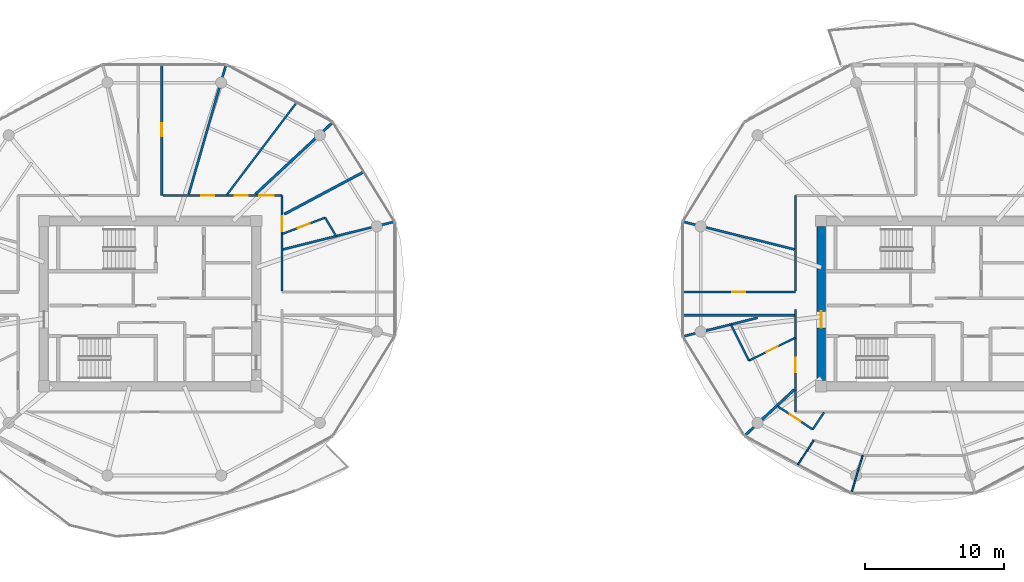
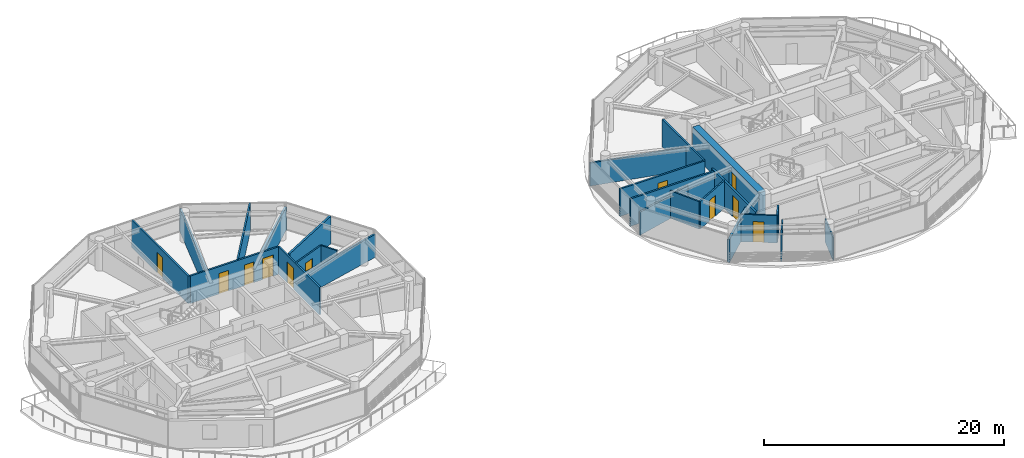
# One storey, part 14 of 22: 24 walls, 11 doors, 11 openings.
"""IFC4 building model written with IfcOpenShell, lengths in metres."""

from ifc_helpers import new_model, si_unit, direction, frame, frame_2d, origin, place, context, subcontext, project, spatial, rectangle, extrude, source, transform, mapped, material, layer, layer_set, type_object, type_shapes, element, fill, save


model = new_model("IFC4")

# Units and contexts
model_context = context("Model", 3, precision=1e-05, world=origin(), true_north=direction((0.0, 1.0)))
body_context = subcontext(model_context, "Body", "Model", "MODEL_VIEW")
ifc_project = project(units=[si_unit("LENGTHUNIT", "METRE"), si_unit("AREAUNIT", "SQUARE_METRE"), si_unit("VOLUMEUNIT", "CUBIC_METRE"), si_unit("PLANEANGLEUNIT", "RADIAN"), si_unit("MASSUNIT", "GRAM", prefix="KILO")], contexts=[model_context])

# Site, building, storey
site_placement = place(None, origin())
site = spatial("IfcSite", under=ifc_project, at=site_placement, CompositionType="ELEMENT")
building_placement = place(site_placement, origin())
building = spatial("IfcBuilding", under=site, at=building_placement, Name="Norrkilde Senior Care Towers", CompositionType="ELEMENT")
storey_placement = place(building_placement, frame((0.0, 0.0, 170.89990234375)))
storey = spatial("IfcBuildingStorey", under=building, at=storey_placement, Name="L53", CompositionType="ELEMENT", Elevation=170.89990234375)

# Wall, opening, door
ifc_material_1 = material(Name="Concrete C50/60", Category="concrete")
ifc_layer_1 = layer(ifc_material_1, 0.6201171875)
ifc_layer_set_1 = layer_set([ifc_layer_1], Name="Concrete C50/60")
wall_type_1 = type_object("IfcWallType", Name="Core Shear Wall Z3 620", PredefinedType="SHEAR", material=ifc_layer_set_1)
shared_shape_1 = source(origin(), body_context, "Body", "SweptSolid", [
    extrude(rectangle(XDim=11.10009765625, YDim=0.6201171875, at=frame_2d((5.550048828125, 0.0))), origin(), (0.0, 0.0, 1.0), 2.81005859375),
])
type_shapes(wall_type_1, [shared_shape_1])
wall_1_placement = place(storey_placement, frame((20.35009765625, -5.550048828125, 0.0), z_axis=(0.0, 0.0, 1.0), x_axis=(0.0, 1.0, 0.0)))
wall_1 = element("IfcWall", 1, at=wall_1_placement, inside=storey, type_object=wall_type_1, Name="L53 Core E West Shear Wall", PredefinedType="SHEAR", context=body_context, shape_type="MappedRepresentation", body=[
    mapped(shared_shape_1, transform((0.0, 0.0, 0.0), x_axis=(1.0, 0.0, 0.0), y_axis=(0.0, 1.0, 0.0), z_axis=(0.0, 0.0, 1.0), scale=1.0)),
])
opening_1_placement = place(wall_1_placement, frame((3.800048828125, 0.0, 0.0)))
opening_1 = element("IfcOpeningElement", 2, at=opening_1_placement, cuts=wall_1, Name="Opening D-04", PredefinedType="OPENING", context=body_context, shape_type="SweptSolid", body=[
    extrude(rectangle(XDim=1.199951171875, YDim=2.14990234375, at=frame_2d((0.60009765625, 1.074951171875))), frame((0.0, 0.320068359375, 0.0), z_axis=(0.0, -1.0, 0.0), x_axis=(1.0, 0.0, 0.0)), (0.0, 0.0, 1.0), 0.64013671875),
])
ifc_material_2 = material(Name="Galvanised Painted Steel", Category="steel")
door_type_1 = type_object("IfcDoorType", Name="Firefighting Lobby Fire Door 1200x2150", OperationType="NOTDEFINED", PredefinedType="DOOR", material=ifc_material_2)
shared_shape_2 = source(origin(), body_context, "Body", "SweptSolid", [
    extrude(rectangle(XDim=1.199951171875, YDim=2.14990234375, at=frame_2d((0.60009765625, 1.074951171875))), frame((0.0, 0.02490234375, 0.0), z_axis=(0.0, -1.0, 0.0), x_axis=(1.0, 0.0, 0.0)), (0.0, 0.0, 1.0), 0.050048828125),
])
type_shapes(door_type_1, [shared_shape_2])
door_1_placement = place(opening_1_placement, frame((1.199951171875, 0.0, 0.0), z_axis=(0.0, 0.0, 1.0), x_axis=(-1.0, 0.0, 0.0)))
door_1 = element("IfcDoor", 3, at=door_1_placement, inside=storey, type_object=door_type_1, Name="L53 Core E West Portal Door", OperationType="SINGLE_SWING_LEFT", OverallHeight=2.14990234375, OverallWidth=1.199951171875, PredefinedType="DOOR", context=body_context, shape_type="MappedRepresentation", body=[
    mapped(shared_shape_2, transform((0.0, 0.0, 0.0), x_axis=(1.0, 0.0, 0.0), y_axis=(0.0, 1.0, 0.0), z_axis=(0.0, 0.0, 1.0), scale=1.0)),
])
fill(opening_1, door_1)

# Walls
ifc_material_3 = material(Name="Gypsum Acoustic Board")
ifc_layer_2 = layer(ifc_material_3, 0.1650390625)
ifc_layer_set_2 = layer_set([ifc_layer_2], Name="Gypsum Acoustic Board")
wall_type_2 = type_object("IfcWallType", Name="Corridor Rated Partition 165", PredefinedType="PARTITIONING", material=ifc_layer_set_2)
shared_shape_3 = source(origin(), body_context, "Body", "SweptSolid", [
    extrude(rectangle(XDim=9.73046875, YDim=0.1650390625, at=frame_2d((4.865234375, 0.0))), origin(), (0.0, 0.0, 1.0), 2.34521484375),
])
wall_2_placement = place(storey_placement, frame((-25.216552734375, 7.8798828125, 0.0), z_axis=(0.0, 0.0, 1.0), x_axis=(0.27679492614, 0.960929013436, 0.0)))
element("IfcWall", 4, at=wall_2_placement, inside=storey, type_object=wall_type_2, Name="WL-INT-L53-W-DEM-02-0", PredefinedType="PARTITIONING", context=body_context, shape_type="MappedRepresentation", body=[
    mapped(shared_shape_3, transform((0.0, 0.0, 0.0), x_axis=(1.0, 0.0, 0.0), y_axis=(0.0, 1.0, 0.0), z_axis=(0.0, 0.0, 1.0), scale=1.0)),
])
ifc_layer_3 = layer(ifc_material_3, 0.18994140625)
ifc_layer_set_3 = layer_set([ifc_layer_3], Name="Gypsum Acoustic Board")
wall_type_3 = type_object("IfcWallType", Name="Unit Demising Acoustic Wall 190", PredefinedType="PARTITIONING", material=ifc_layer_set_3)
shared_shape_4 = source(origin(), body_context, "Body", "SweptSolid", [
    extrude(rectangle(XDim=7.648193359375, YDim=0.18994140625, at=frame_2d((3.82421875, 0.0))), origin(), (0.0, 0.0, 1.0), 2.34521484375),
])
wall_3_placement = place(storey_placement, frame((-20.41259765625, 7.8798828125, 0.0), z_axis=(0.0, 0.0, 1.0), x_axis=(0.732182665826, 0.681108320213, 0.0)))
element("IfcWall", 5, at=wall_3_placement, inside=storey, type_object=wall_type_3, Name="WL-INT-L53-W-DEM-01-0", PredefinedType="PARTITIONING", context=body_context, shape_type="MappedRepresentation", body=[
    mapped(shared_shape_4, transform((0.0, 0.0, 0.0), x_axis=(1.0, 0.0, 0.0), y_axis=(0.0, 1.0, 0.0), z_axis=(0.0, 0.0, 1.0), scale=1.0)),
])
shared_shape_5 = source(origin(), body_context, "Body", "SweptSolid", [
    extrude(rectangle(XDim=6.4990234375, YDim=0.18994140625, at=frame_2d((3.24951171875, 0.0))), origin(), (0.0, 0.0, 1.0), 2.795166015625),
])
wall_4_placement = place(storey_placement, frame((-18.32373046875, 6.44873046875, 0.0), z_axis=(0.0, 0.0, 1.0), x_axis=(0.882715595921, 0.469907625729, 0.0)))
element("IfcWall", 6, at=wall_4_placement, inside=storey, type_object=wall_type_3, Name="WL-INT-L53-W-CMID-00", PredefinedType="PARTITIONING", context=body_context, shape_type="MappedRepresentation", body=[
    mapped(shared_shape_5, transform((0.0, 0.0, 0.0), x_axis=(1.0, 0.0, 0.0), y_axis=(0.0, 1.0, 0.0), z_axis=(0.0, 0.0, 1.0), scale=1.0)),
])

# Wall, opening, door
ifc_layer_4 = layer(ifc_material_3, 0.139892578125)
ifc_layer_set_4 = layer_set([ifc_layer_4], Name="Gypsum Acoustic Board")
wall_type_4 = type_object("IfcWallType", Name="En-suite Wet Room Wall 140", PredefinedType="PARTITIONING", material=ifc_layer_set_4)
shared_shape_6 = source(origin(), body_context, "Body", "SweptSolid", [
    extrude(rectangle(XDim=3.295166015625, YDim=0.139892578125, at=frame_2d((1.6474609375, 0.0))), origin(), (0.0, 0.0, 1.0), 2.795166015625),
])
wall_5_placement = place(storey_placement, frame((-18.469970703125, 5.022705078125, 0.0), z_axis=(0.0, 0.0, 1.0), x_axis=(0.934202224769, 0.356743890258, 0.0)))
wall_5 = element("IfcWall", 7, at=wall_5_placement, inside=storey, type_object=wall_type_4, Name="WL-INT-L53-W-ES-00A", PredefinedType="PARTITIONING", context=body_context, shape_type="MappedRepresentation", body=[
    mapped(shared_shape_6, transform((0.0, 0.0, 0.0), x_axis=(1.0, 0.0, 0.0), y_axis=(0.0, 1.0, 0.0), z_axis=(0.0, 0.0, 1.0), scale=1.0)),
])
opening_2_placement = place(wall_5_placement, frame((1.1875, 0.0, 0.0)))
opening_2 = element("IfcOpeningElement", 8, at=opening_2_placement, cuts=wall_5, Name="Opening D-08", PredefinedType="OPENING", context=body_context, shape_type="SweptSolid", body=[
    extrude(rectangle(XDim=0.919921875, YDim=2.10009765625, at=frame_2d((0.4599609375, 1.050048828125))), frame((0.0, 0.079833984375, 0.0), z_axis=(0.0, -1.0, 0.0), x_axis=(1.0, 0.0, 0.0)), (0.0, 0.0, 1.0), 0.159912109375),
])
ifc_material_4 = material(Name="Nordic Ash Timber", Category="wood")
door_type_2 = type_object("IfcDoorType", Name="Accessible Wet Room Door 920x2100", OperationType="NOTDEFINED", PredefinedType="DOOR", material=ifc_material_4)
shared_shape_7 = source(origin(), body_context, "Body", "SweptSolid", [
    extrude(rectangle(XDim=0.919921875, YDim=2.10009765625, at=frame_2d((0.4599609375, 1.050048828125))), frame((0.0, 0.02490234375, 0.0), z_axis=(0.0, -1.0, 0.0), x_axis=(1.0, 0.0, 0.0)), (0.0, 0.0, 1.0), 0.050048828125),
])
type_shapes(door_type_2, [shared_shape_7])
door_2_placement = place(opening_2_placement, origin())
door_2 = element("IfcDoor", 9, at=door_2_placement, inside=storey, type_object=door_type_2, Name="L53 Care Suite 5300A Bathroom Door", OperationType="SINGLE_SWING_RIGHT", OverallHeight=2.10009765625, OverallWidth=0.919921875, PredefinedType="DOOR", context=body_context, shape_type="MappedRepresentation", body=[
    mapped(shared_shape_7, transform((0.0, 0.0, 0.0), x_axis=(1.0, 0.0, 0.0), y_axis=(0.0, 1.0, 0.0), z_axis=(0.0, 0.0, 1.0), scale=1.0)),
])
fill(opening_2, door_2)

# Wall
shared_shape_8 = source(origin(), body_context, "Body", "SweptSolid", [
    extrude(rectangle(XDim=4.926513671875, YDim=0.18994140625, at=frame_2d((2.46337890625, 0.0))), origin(), (0.0, 0.0, 1.0), 2.34521484375),
])
type_shapes(wall_type_3, [shared_shape_4, shared_shape_5, shared_shape_8])
wall_6_placement = place(storey_placement, frame((18.419921875, -6.182861328125, 0.0), z_axis=(0.0, 0.0, 1.0), x_axis=(-0.732191335987, -0.681098999783, 0.0)))
element("IfcWall", 10, at=wall_6_placement, inside=storey, type_object=wall_type_3, Name="WL-INT-L53-E-DEM-07-0", PredefinedType="PARTITIONING", context=body_context, shape_type="MappedRepresentation", body=[
    mapped(shared_shape_8, transform((0.0, 0.0, 0.0), x_axis=(1.0, 0.0, 0.0), y_axis=(0.0, 1.0, 0.0), z_axis=(0.0, 0.0, 1.0), scale=1.0)),
])

# Wall, opening, door
shared_shape_9 = source(origin(), body_context, "Body", "SweptSolid", [
    extrude(rectangle(XDim=3.706787109375, YDim=0.139892578125, at=frame_2d((1.853515625, 0.0))), origin(), (0.0, 0.0, 1.0), 2.795166015625),
])
wall_7_placement = place(storey_placement, frame((18.469970703125, -2.455810546875, 0.0), z_axis=(0.0, 0.0, 1.0), x_axis=(-0.895347377717, -0.44536846904, 0.0)))
wall_7 = element("IfcWall", 11, at=wall_7_placement, inside=storey, type_object=wall_type_4, Name="WL-INT-L53-E-ES-06", PredefinedType="PARTITIONING", context=body_context, shape_type="MappedRepresentation", body=[
    mapped(shared_shape_9, transform((0.0, 0.0, 0.0), x_axis=(1.0, 0.0, 0.0), y_axis=(0.0, 1.0, 0.0), z_axis=(0.0, 0.0, 1.0), scale=1.0)),
])
opening_3_placement = place(wall_7_placement, frame((1.3935546875, 0.0, 0.0)))
opening_3 = element("IfcOpeningElement", 12, at=opening_3_placement, cuts=wall_7, Name="Opening D-08", PredefinedType="OPENING", context=body_context, shape_type="SweptSolid", body=[
    extrude(rectangle(XDim=0.919921875, YDim=2.10009765625, at=frame_2d((0.4599609375, 1.050048828125))), frame((0.0, 0.079833984375, 0.0), z_axis=(0.0, -1.0, 0.0), x_axis=(1.0, 0.0, 0.0)), (0.0, 0.0, 1.0), 0.159912109375),
])
door_3_placement = place(opening_3_placement, origin())
door_3 = element("IfcDoor", 13, at=door_3_placement, inside=storey, type_object=door_type_2, Name="L53 Studio 53C Bathroom Door", OperationType="SINGLE_SWING_RIGHT", OverallHeight=2.10009765625, OverallWidth=0.919921875, PredefinedType="DOOR", context=body_context, shape_type="MappedRepresentation", body=[
    mapped(shared_shape_7, transform((0.0, 0.0, 0.0), x_axis=(1.0, 0.0, 0.0), y_axis=(0.0, 1.0, 0.0), z_axis=(0.0, 0.0, 1.0), scale=1.0)),
])
fill(opening_3, door_3)

# Wall, openings, doors
shared_shape_10 = source(origin(), body_context, "Body", "SweptSolid", [
    extrude(rectangle(XDim=8.580078125, YDim=0.1650390625, at=frame_2d((4.2900390625, 0.0))), origin(), (0.0, 0.0, 1.0), 2.795166015625),
])
wall_8_placement = place(storey_placement, frame((-27.080078125, 7.800048828125, 0.0), z_axis=(0.0, 0.0, 1.0), x_axis=(1.0, 0.0, 0.0)))
wall_8 = element("IfcWall", 14, at=wall_8_placement, inside=storey, type_object=wall_type_2, Name="WL-INT-L53-W-CRW-N-1", PredefinedType="PARTITIONING", context=body_context, shape_type="MappedRepresentation", body=[
    mapped(shared_shape_10, transform((0.0, 0.0, 0.0), x_axis=(1.0, 0.0, 0.0), y_axis=(0.0, 1.0, 0.0), z_axis=(0.0, 0.0, 1.0), scale=1.0)),
])
opening_4_placement = place(wall_8_placement, frame((6.93994140625, 0.0, 0.0)))
opening_4 = element("IfcOpeningElement", 15, at=opening_4_placement, cuts=wall_8, Name="Opening D-06", PredefinedType="OPENING", context=body_context, shape_type="SweptSolid", body=[
    extrude(rectangle(XDim=1.050048828125, YDim=2.14990234375, at=frame_2d((0.52490234375, 1.074951171875))), frame((0.0, 0.092529296875, 0.0), z_axis=(0.0, -1.0, 0.0), x_axis=(1.0, 0.0, 0.0)), (0.0, 0.0, 1.0), 0.18505859375),
])
opening_5_placement = place(wall_8_placement, frame((5.197265625, 0.0, 0.0)))
opening_5 = element("IfcOpeningElement", 16, at=opening_5_placement, cuts=wall_8, Name="Opening D-08", PredefinedType="OPENING", context=body_context, shape_type="SweptSolid", body=[
    extrude(rectangle(XDim=0.919921875, YDim=2.10009765625, at=frame_2d((0.4599609375, 1.050048828125))), frame((0.0, 0.092529296875, 0.0), z_axis=(0.0, -1.0, 0.0), x_axis=(1.0, 0.0, 0.0)), (0.0, 0.0, 1.0), 0.18505859375),
])
opening_6_placement = place(wall_8_placement, frame((2.777587890625, 0.0, 0.0)))
opening_6 = element("IfcOpeningElement", 17, at=opening_6_placement, cuts=wall_8, Name="Opening D-08", PredefinedType="OPENING", context=body_context, shape_type="SweptSolid", body=[
    extrude(rectangle(XDim=0.919921875, YDim=2.10009765625, at=frame_2d((0.4599609375, 1.050048828125))), frame((0.0, 0.092529296875, 0.0), z_axis=(0.0, -1.0, 0.0), x_axis=(1.0, 0.0, 0.0)), (0.0, 0.0, 1.0), 0.18505859375),
])
door_4_placement = place(opening_5_placement, frame((0.919921875, 0.0, 0.0), z_axis=(0.0, 0.0, 1.0), x_axis=(-1.0, 0.0, 0.0)))
door_4 = element("IfcDoor", 18, at=door_4_placement, inside=storey, type_object=door_type_2, Name="L53 Accessible Restroom Door", OperationType="SINGLE_SWING_RIGHT", OverallHeight=2.10009765625, OverallWidth=0.919921875, PredefinedType="DOOR", context=body_context, shape_type="MappedRepresentation", body=[
    mapped(shared_shape_7, transform((0.0, 0.0, 0.0), x_axis=(1.0, 0.0, 0.0), y_axis=(0.0, 1.0, 0.0), z_axis=(0.0, 0.0, 1.0), scale=1.0)),
])
fill(opening_5, door_4)
door_5_placement = place(opening_6_placement, frame((0.919921875, 0.0, 0.0), z_axis=(0.0, 0.0, 1.0), x_axis=(-1.0, 0.0, 0.0)))
door_5 = element("IfcDoor", 19, at=door_5_placement, inside=storey, type_object=door_type_2, Name="L53 Public Restroom Door", OperationType="SINGLE_SWING_LEFT", OverallHeight=2.10009765625, OverallWidth=0.919921875, PredefinedType="DOOR", context=body_context, shape_type="MappedRepresentation", body=[
    mapped(shared_shape_7, transform((0.0, 0.0, 0.0), x_axis=(1.0, 0.0, 0.0), y_axis=(0.0, 1.0, 0.0), z_axis=(0.0, 0.0, 1.0), scale=1.0)),
])
fill(opening_6, door_5)
door_type_3 = type_object("IfcDoorType", Name="Apartment Entrance Fire Door 1050x2150", OperationType="NOTDEFINED", PredefinedType="DOOR", material=ifc_material_4)
shared_shape_11 = source(origin(), body_context, "Body", "SweptSolid", [
    extrude(rectangle(XDim=1.050048828125, YDim=2.14990234375, at=frame_2d((0.52490234375, 1.074951171875))), frame((0.0, 0.02490234375, 0.0), z_axis=(0.0, -1.0, 0.0), x_axis=(1.0, 0.0, 0.0)), (0.0, 0.0, 1.0), 0.050048828125),
])
type_shapes(door_type_3, [shared_shape_11])
door_6_placement = place(opening_4_placement, frame((1.050048828125, 0.0, 0.0), z_axis=(0.0, 0.0, 1.0), x_axis=(-1.0, 0.0, 0.0)))
door_6 = element("IfcDoor", 20, at=door_6_placement, inside=storey, type_object=door_type_3, Name="L53 Therapy Day Lounge 00 Door", OperationType="SINGLE_SWING_RIGHT", OverallHeight=2.14990234375, OverallWidth=1.050048828125, PredefinedType="DOOR", context=body_context, shape_type="MappedRepresentation", body=[
    mapped(shared_shape_11, transform((0.0, 0.0, 0.0), x_axis=(1.0, 0.0, 0.0), y_axis=(0.0, 1.0, 0.0), z_axis=(0.0, 0.0, 1.0), scale=1.0)),
])
fill(opening_4, door_6)

# Wall, opening, door
shared_shape_12 = source(origin(), body_context, "Body", "SweptSolid", [
    extrude(rectangle(XDim=6.880126953125, YDim=0.1650390625, at=frame_2d((3.43994140625, 0.0))), origin(), (0.0, 0.0, 1.0), 2.795166015625),
])
wall_9_placement = place(storey_placement, frame((-18.5, 7.800048828125, 0.0), z_axis=(0.0, 0.0, 1.0), x_axis=(0.0, -1.0, 0.0)))
wall_9 = element("IfcWall", 21, at=wall_9_placement, inside=storey, type_object=wall_type_2, Name="WL-INT-L53-W-CRW-E-0", PredefinedType="PARTITIONING", context=body_context, shape_type="MappedRepresentation", body=[
    mapped(shared_shape_12, transform((0.0, 0.0, 0.0), x_axis=(1.0, 0.0, 0.0), y_axis=(0.0, 1.0, 0.0), z_axis=(0.0, 0.0, 1.0), scale=1.0)),
])
opening_7_placement = place(wall_9_placement, frame((1.514892578125, 0.0, 0.0)))
opening_7 = element("IfcOpeningElement", 22, at=opening_7_placement, cuts=wall_9, Name="Opening D-06", PredefinedType="OPENING", context=body_context, shape_type="SweptSolid", body=[
    extrude(rectangle(XDim=1.050048828125, YDim=2.14990234375, at=frame_2d((0.52490234375, 1.074951171875))), frame((0.0, 0.092529296875, 0.0), z_axis=(0.0, -1.0, 0.0), x_axis=(1.0, 0.0, 0.0)), (0.0, 0.0, 1.0), 0.18505859375),
])
door_7_placement = place(opening_7_placement, frame((1.050048828125, 0.0, 0.0), z_axis=(0.0, 0.0, 1.0), x_axis=(-1.0, 0.0, 0.0)))
door_7 = element("IfcDoor", 23, at=door_7_placement, inside=storey, type_object=door_type_3, Name="L53 Care Suite 5300A Entrance Door", OperationType="SINGLE_SWING_LEFT", OverallHeight=2.14990234375, OverallWidth=1.050048828125, PredefinedType="DOOR", context=body_context, shape_type="MappedRepresentation", body=[
    mapped(shared_shape_11, transform((0.0, 0.0, 0.0), x_axis=(1.0, 0.0, 0.0), y_axis=(0.0, 1.0, 0.0), z_axis=(0.0, 0.0, 1.0), scale=1.0)),
])
fill(opening_7, door_7)

# Wall
wall_10_placement = place(storey_placement, frame((18.5, 0.919921875, 0.0), z_axis=(0.0, 0.0, 1.0), x_axis=(0.0, 1.0, 0.0)))
element("IfcWall", 24, at=wall_10_placement, inside=storey, type_object=wall_type_2, Name="WL-INT-L53-E-CRW-W-1", PredefinedType="PARTITIONING", context=body_context, shape_type="MappedRepresentation", body=[
    mapped(shared_shape_12, transform((0.0, 0.0, 0.0), x_axis=(1.0, 0.0, 0.0), y_axis=(0.0, 1.0, 0.0), z_axis=(0.0, 0.0, 1.0), scale=1.0)),
])

# Wall, opening, door
shared_shape_13 = source(origin(), body_context, "Body", "SweptSolid", [
    extrude(rectangle(XDim=7.364501953125, YDim=0.1650390625, at=frame_2d((3.68212890625, 0.0))), origin(), (0.0, 0.0, 1.0), 2.795166015625),
])
wall_11_placement = place(storey_placement, frame((18.5, -7.800048828125, 0.0), z_axis=(0.0, 0.0, 1.0), x_axis=(0.0, 1.0, 0.0)))
wall_11 = element("IfcWall", 25, at=wall_11_placement, inside=storey, type_object=wall_type_2, Name="WL-INT-L53-E-CRW-W-0", PredefinedType="PARTITIONING", context=body_context, shape_type="MappedRepresentation", body=[
    mapped(shared_shape_13, transform((0.0, 0.0, 0.0), x_axis=(1.0, 0.0, 0.0), y_axis=(0.0, 1.0, 0.0), z_axis=(0.0, 0.0, 1.0), scale=1.0)),
])
opening_8_placement = place(wall_11_placement, frame((2.853515625, 0.0, 0.0)))
opening_8 = element("IfcOpeningElement", 26, at=opening_8_placement, cuts=wall_11, Name="Opening D-06", PredefinedType="OPENING", context=body_context, shape_type="SweptSolid", body=[
    extrude(rectangle(XDim=1.050048828125, YDim=2.14990234375, at=frame_2d((0.52490234375, 1.074951171875))), frame((0.0, 0.092529296875, 0.0), z_axis=(0.0, -1.0, 0.0), x_axis=(1.0, 0.0, 0.0)), (0.0, 0.0, 1.0), 0.18505859375),
])
door_8_placement = place(opening_8_placement, frame((1.050048828125, 0.0, 0.0), z_axis=(0.0, 0.0, 1.0), x_axis=(-1.0, 0.0, 0.0)))
door_8 = element("IfcDoor", 27, at=door_8_placement, inside=storey, type_object=door_type_3, Name="L53 Studio 53C Entrance Door", OperationType="SINGLE_SWING_LEFT", OverallHeight=2.14990234375, OverallWidth=1.050048828125, PredefinedType="DOOR", context=body_context, shape_type="MappedRepresentation", body=[
    mapped(shared_shape_11, transform((0.0, 0.0, 0.0), x_axis=(1.0, 0.0, 0.0), y_axis=(0.0, 1.0, 0.0), z_axis=(0.0, 0.0, 1.0), scale=1.0)),
])
fill(opening_8, door_8)

shared_shape_14 = source(origin(), body_context, "Body", "SweptSolid", [
    extrude(rectangle(XDim=9.480224609375, YDim=0.1650390625, at=frame_2d((4.740234375, 0.0))), origin(), (0.0, 0.0, 1.0), 2.795166015625),
])
wall_12_placement = place(storey_placement, frame((-27.159912109375, 17.2802734375, 0.0), z_axis=(0.0, 0.0, 1.0), x_axis=(0.0, -1.0, 0.0)))
wall_12 = element("IfcWall", 28, at=wall_12_placement, inside=storey, type_object=wall_type_2, Name="WL-INT-L53-W-SPK-N2-0", PredefinedType="PARTITIONING", context=body_context, shape_type="MappedRepresentation", body=[
    mapped(shared_shape_14, transform((0.0, 0.0, 0.0), x_axis=(1.0, 0.0, 0.0), y_axis=(0.0, 1.0, 0.0), z_axis=(0.0, 0.0, 1.0), scale=1.0)),
])
opening_9_placement = place(wall_12_placement, frame((4.26513671875, 0.0, 0.0)))
opening_9 = element("IfcOpeningElement", 29, at=opening_9_placement, cuts=wall_12, Name="Opening D-07", PredefinedType="OPENING", context=body_context, shape_type="SweptSolid", body=[
    extrude(rectangle(XDim=0.949951171875, YDim=2.10009765625, at=frame_2d((0.47509765625, 1.050048828125))), frame((0.0, 0.092529296875, 0.0), z_axis=(0.0, -1.0, 0.0), x_axis=(1.0, 0.0, 0.0)), (0.0, 0.0, 1.0), 0.18505859375),
])
door_type_4 = type_object("IfcDoorType", Name="Internal Suite Bedroom Door 950x2100", OperationType="NOTDEFINED", PredefinedType="DOOR", material=ifc_material_4)
shared_shape_15 = source(origin(), body_context, "Body", "SweptSolid", [
    extrude(rectangle(XDim=0.949951171875, YDim=2.10009765625, at=frame_2d((0.47509765625, 1.050048828125))), frame((0.0, 0.02490234375, 0.0), z_axis=(0.0, -1.0, 0.0), x_axis=(1.0, 0.0, 0.0)), (0.0, 0.0, 1.0), 0.050048828125),
])
type_shapes(door_type_4, [shared_shape_15])
door_9_placement = place(opening_9_placement, frame((0.949951171875, 0.0, 0.0), z_axis=(0.0, 0.0, 1.0), x_axis=(-1.0, 0.0, 0.0)))
door_9 = element("IfcDoor", 30, at=door_9_placement, inside=storey, type_object=door_type_4, Name="L53 Sun Reading Lounge 4 Door", OperationType="SINGLE_SWING_LEFT", OverallHeight=2.10009765625, OverallWidth=0.949951171875, PredefinedType="DOOR", context=body_context, shape_type="MappedRepresentation", body=[
    mapped(shared_shape_15, transform((0.0, 0.0, 0.0), x_axis=(1.0, 0.0, 0.0), y_axis=(0.0, 1.0, 0.0), z_axis=(0.0, 0.0, 1.0), scale=1.0)),
])
fill(opening_9, door_9)

shared_shape_16 = source(origin(), body_context, "Body", "SweptSolid", [
    extrude(rectangle(XDim=8.18896484375, YDim=0.1650390625, at=frame_2d((4.094482421875, 0.0))), origin(), (0.0, 0.0, 1.0), 2.795166015625),
])
wall_13_placement = place(storey_placement, frame((10.31103515625, 0.840087890625, 0.0), z_axis=(0.0, 0.0, 1.0), x_axis=(1.0, 0.0, 0.0)))
wall_13 = element("IfcWall", 31, at=wall_13_placement, inside=storey, type_object=wall_type_2, Name="WL-INT-L53-E-SPK-W1-0", PredefinedType="PARTITIONING", context=body_context, shape_type="MappedRepresentation", body=[
    mapped(shared_shape_16, transform((0.0, 0.0, 0.0), x_axis=(1.0, 0.0, 0.0), y_axis=(0.0, 1.0, 0.0), z_axis=(0.0, 0.0, 1.0), scale=1.0)),
])
opening_10_placement = place(wall_13_placement, frame((3.619384765625, 0.0, 0.0)))
opening_10 = element("IfcOpeningElement", 32, at=opening_10_placement, cuts=wall_13, Name="Opening D-07", PredefinedType="OPENING", context=body_context, shape_type="SweptSolid", body=[
    extrude(rectangle(XDim=0.949951171875, YDim=2.10009765625, at=frame_2d((0.47509765625, 1.050048828125))), frame((0.0, 0.092529296875, 0.0), z_axis=(0.0, -1.0, 0.0), x_axis=(1.0, 0.0, 0.0)), (0.0, 0.0, 1.0), 0.18505859375),
])
door_10_placement = place(opening_10_placement, frame((0.949951171875, 0.0, 0.0), z_axis=(0.0, 0.0, 1.0), x_axis=(-1.0, 0.0, 0.0)))
door_10 = element("IfcDoor", 33, at=door_10_placement, inside=storey, type_object=door_type_4, Name="L53 Sun Reading Lounge 2 Door", OperationType="SINGLE_SWING_LEFT", OverallHeight=2.10009765625, OverallWidth=0.949951171875, PredefinedType="DOOR", context=body_context, shape_type="MappedRepresentation", body=[
    mapped(shared_shape_15, transform((0.0, 0.0, 0.0), x_axis=(1.0, 0.0, 0.0), y_axis=(0.0, 1.0, 0.0), z_axis=(0.0, 0.0, 1.0), scale=1.0)),
])
fill(opening_10, door_10)

# Walls
wall_14_placement = place(storey_placement, frame((18.5, -0.840087890625, 0.0), z_axis=(0.0, 0.0, 1.0), x_axis=(-1.0, 0.0, 0.0)))
element("IfcWall", 34, at=wall_14_placement, inside=storey, type_object=wall_type_2, Name="WL-INT-L53-E-SPK-W2-0", PredefinedType="PARTITIONING", context=body_context, shape_type="MappedRepresentation", body=[
    mapped(shared_shape_16, transform((0.0, 0.0, 0.0), x_axis=(1.0, 0.0, 0.0), y_axis=(0.0, 1.0, 0.0), z_axis=(0.0, 0.0, 1.0), scale=1.0)),
])
shared_shape_17 = source(origin(), body_context, "Body", "SweptSolid", [
    extrude(rectangle(XDim=5.564453125, YDim=0.1650390625, at=frame_2d((2.7822265625, 0.0))), origin(), (0.0, 0.0, 1.0), 2.34521484375),
])
wall_15_placement = place(storey_placement, frame((15.76025390625, -1.02001953125, 0.0), z_axis=(0.0, 0.0, 1.0), x_axis=(-0.970315176167, -0.241843872984, 0.0)))
element("IfcWall", 35, at=wall_15_placement, inside=storey, type_object=wall_type_2, Name="WL-INT-L53-E-DEM-06-0", PredefinedType="PARTITIONING", context=body_context, shape_type="MappedRepresentation", body=[
    mapped(shared_shape_17, transform((0.0, 0.0, 0.0), x_axis=(1.0, 0.0, 0.0), y_axis=(0.0, 1.0, 0.0), z_axis=(0.0, 0.0, 1.0), scale=1.0)),
])
shared_shape_18 = source(origin(), body_context, "Body", "SweptSolid", [
    extrude(rectangle(XDim=8.305419921875, YDim=0.1650390625, at=frame_2d((4.15283203125, 0.0))), origin(), (0.0, 0.0, 1.0), 2.34521484375),
])
type_shapes(wall_type_2, [shared_shape_3, shared_shape_10, shared_shape_12, shared_shape_13, shared_shape_14, shared_shape_16, shared_shape_17, shared_shape_18])
for number, where, z_axis, x_axis, name in (
    (36, (-18.419921875, 3.90771484375, 0.0), (0.0, 0.0, 1.0), (0.970309994378, 0.241864662175, 0.0), "WL-INT-L53-W-DEM-00-0"),
    (37, (18.419921875, 3.90771484375, 0.0), (0.0, 0.0, 1.0), (-0.970309994378, 0.241864662175, 0.0), "WL-INT-L53-E-DEM-05-0"),
):
    element("IfcWall", number, at=place(storey_placement, frame(where, z_axis=z_axis, x_axis=x_axis)), inside=storey, type_object=wall_type_2, Name=name, PredefinedType="PARTITIONING", context=body_context, shape_type="MappedRepresentation", body=[
        mapped(shared_shape_18, transform((0.0, 0.0, 0.0), x_axis=(1.0, 0.0, 0.0), y_axis=(0.0, 1.0, 0.0), z_axis=(0.0, 0.0, 1.0), scale=1.0)),
    ])
shared_shape_19 = source(origin(), body_context, "Body", "SweptSolid", [
    extrude(rectangle(XDim=1.558349609375, YDim=0.139892578125, at=frame_2d((0.779296875, 0.0))), origin(), (0.0, 0.0, 1.0), 2.795166015625),
])
wall_16_placement = place(storey_placement, frame((-15.3916015625, 6.1982421875, 0.0), z_axis=(0.0, 0.0, 1.0), x_axis=(0.513735221728, -0.85794878749, 0.0)))
element("IfcWall", 38, at=wall_16_placement, inside=storey, type_object=wall_type_4, Name="WL-INT-L53-W-EF-00A", PredefinedType="PARTITIONING", context=body_context, shape_type="MappedRepresentation", body=[
    mapped(shared_shape_19, transform((0.0, 0.0, 0.0), x_axis=(1.0, 0.0, 0.0), y_axis=(0.0, 1.0, 0.0), z_axis=(0.0, 0.0, 1.0), scale=1.0)),
])
shared_shape_20 = source(origin(), body_context, "Body", "SweptSolid", [
    extrude(rectangle(XDim=8.359375, YDim=0.139892578125, at=frame_2d((4.1796875, 0.0))), origin(), (0.0, 0.0, 1.0), 2.795166015625),
])
wall_17_placement = place(storey_placement, frame((-22.477294921875, 7.830078125, 0.0), z_axis=(0.0, 0.0, 1.0), x_axis=(0.603265985309, 0.797540062297, 0.0)))
element("IfcWall", 39, at=wall_17_placement, inside=storey, type_object=wall_type_4, Name="WL-INT-L53-W-MID-01", PredefinedType="PARTITIONING", context=body_context, shape_type="MappedRepresentation", body=[
    mapped(shared_shape_20, transform((0.0, 0.0, 0.0), x_axis=(1.0, 0.0, 0.0), y_axis=(0.0, 1.0, 0.0), z_axis=(0.0, 0.0, 1.0), scale=1.0)),
])
shared_shape_21 = source(origin(), body_context, "Body", "SweptSolid", [
    extrude(rectangle(XDim=2.91845703125, YDim=0.139892578125, at=frame_2d((1.459228515625, 0.0))), origin(), (0.0, 0.0, 1.0), 2.795166015625),
])
wall_18_placement = place(storey_placement, frame((15.151123046875, -4.106689453125, 0.0), z_axis=(0.0, 0.0, 1.0), x_axis=(-0.447146668647, 0.894460651296, 0.0)))
element("IfcWall", 40, at=wall_18_placement, inside=storey, type_object=wall_type_4, Name="WL-INT-L53-E-EF-06", PredefinedType="PARTITIONING", context=body_context, shape_type="MappedRepresentation", body=[
    mapped(shared_shape_21, transform((0.0, 0.0, 0.0), x_axis=(1.0, 0.0, 0.0), y_axis=(0.0, 1.0, 0.0), z_axis=(0.0, 0.0, 1.0), scale=1.0)),
])
ifc_layer_5 = layer(ifc_material_3, 0.114990234375)
ifc_layer_set_5 = layer_set([ifc_layer_5], Name="Gypsum Acoustic Board")
wall_type_5 = type_object("IfcWallType", Name="Internal Room Partition 115", PredefinedType="PARTITIONING", material=ifc_layer_set_5)
shared_shape_22 = source(origin(), body_context, "Body", "SweptSolid", [
    extrude(rectangle(XDim=2.873779296875, YDim=0.114990234375, at=frame_2d((1.43701171875, 0.0))), origin(), (0.0, 0.0, 1.0), 2.34521484375),
])
wall_19_placement = place(storey_placement, frame((23.338134765625, -10.923583984375, 0.0), z_axis=(0.0, 0.0, 1.0), x_axis=(-0.283573427988, -0.958950525804, 0.0)))
element("IfcWall", 41, at=wall_19_placement, inside=storey, type_object=wall_type_5, Name="WL-INT-L53-E-UBR-07-1", PredefinedType="PARTITIONING", context=body_context, shape_type="MappedRepresentation", body=[
    mapped(shared_shape_22, transform((0.0, 0.0, 0.0), x_axis=(1.0, 0.0, 0.0), y_axis=(0.0, 1.0, 0.0), z_axis=(0.0, 0.0, 1.0), scale=1.0)),
])
shared_shape_23 = source(origin(), body_context, "Body", "SweptSolid", [
    extrude(rectangle(XDim=1.482421875, YDim=0.139892578125, at=frame_2d((0.7412109375, 0.0))), origin(), (0.0, 0.0, 1.0), 2.795166015625),
])
wall_20_placement = place(storey_placement, frame((20.559814453125, -7.830078125, 0.0), z_axis=(0.0, 0.0, 1.0), x_axis=(-0.555308105158, -0.831644700786, 0.0)))
element("IfcWall", 42, at=wall_20_placement, inside=storey, type_object=wall_type_4, Name="WL-INT-L53-E-UBTS-07", PredefinedType="PARTITIONING", context=body_context, shape_type="MappedRepresentation", body=[
    mapped(shared_shape_23, transform((0.0, 0.0, 0.0), x_axis=(1.0, 0.0, 0.0), y_axis=(0.0, 1.0, 0.0), z_axis=(0.0, 0.0, 1.0), scale=1.0)),
])

# Wall, opening, door
shared_shape_24 = source(origin(), body_context, "Body", "SweptSolid", [
    extrude(rectangle(XDim=3.05078125, YDim=0.139892578125, at=frame_2d((1.525390625, 0.0))), origin(), (0.0, 0.0, 1.0), 2.795166015625),
])
type_shapes(wall_type_4, [shared_shape_6, shared_shape_9, shared_shape_19, shared_shape_20, shared_shape_21, shared_shape_23, shared_shape_24])
wall_21_placement = place(storey_placement, frame((19.736572265625, -9.06298828125, 0.0), z_axis=(0.0, 0.0, 1.0), x_axis=(-0.832763694299, 0.553628602456, 0.0)))
wall_21 = element("IfcWall", 43, at=wall_21_placement, inside=storey, type_object=wall_type_4, Name="WL-INT-L53-E-UBTF-07", PredefinedType="PARTITIONING", context=body_context, shape_type="MappedRepresentation", body=[
    mapped(shared_shape_24, transform((0.0, 0.0, 0.0), x_axis=(1.0, 0.0, 0.0), y_axis=(0.0, 1.0, 0.0), z_axis=(0.0, 0.0, 1.0), scale=1.0)),
])
opening_11_placement = place(wall_21_placement, frame((1.065185546875, 0.0, 0.0)))
opening_11 = element("IfcOpeningElement", 44, at=opening_11_placement, cuts=wall_21, Name="Opening D-08", PredefinedType="OPENING", context=body_context, shape_type="SweptSolid", body=[
    extrude(rectangle(XDim=0.919921875, YDim=2.10009765625, at=frame_2d((0.4599609375, 1.050048828125))), frame((0.0, 0.079833984375, 0.0), z_axis=(0.0, -1.0, 0.0), x_axis=(1.0, 0.0, 0.0)), (0.0, 0.0, 1.0), 0.159912109375),
])
door_11_placement = place(opening_11_placement, origin())
door_11 = element("IfcDoor", 45, at=door_11_placement, inside=storey, type_object=door_type_2, Name="Apartment 53D Bathroom Door", OperationType="SINGLE_SWING_LEFT", OverallHeight=2.10009765625, OverallWidth=0.919921875, PredefinedType="DOOR", context=body_context, shape_type="MappedRepresentation", body=[
    mapped(shared_shape_7, transform((0.0, 0.0, 0.0), x_axis=(1.0, 0.0, 0.0), y_axis=(0.0, 1.0, 0.0), z_axis=(0.0, 0.0, 1.0), scale=1.0)),
])
fill(opening_11, door_11)

# Wall
shared_shape_25 = source(origin(), body_context, "Body", "SweptSolid", [
    extrude(rectangle(XDim=2.10498046875, YDim=0.114990234375, at=frame_2d((1.052490234375, 0.0))), origin(), (0.0, 0.0, 1.0), 2.795166015625),
])
type_shapes(wall_type_5, [shared_shape_22, shared_shape_25])
wall_22_placement = place(storey_placement, frame((19.807861328125, -9.83935546875, 0.0), z_axis=(0.0, 0.0, 1.0), x_axis=(-0.541542884204, -0.840673125875, 0.0)))
element("IfcWall", 46, at=wall_22_placement, inside=storey, type_object=wall_type_5, Name="WL-INT-L53-E-UKTS-07", PredefinedType="PARTITIONING", context=body_context, shape_type="MappedRepresentation", body=[
    mapped(shared_shape_25, transform((0.0, 0.0, 0.0), x_axis=(1.0, 0.0, 0.0), y_axis=(0.0, 1.0, 0.0), z_axis=(0.0, 0.0, 1.0), scale=1.0)),
])

save(model, "model.ifc")
